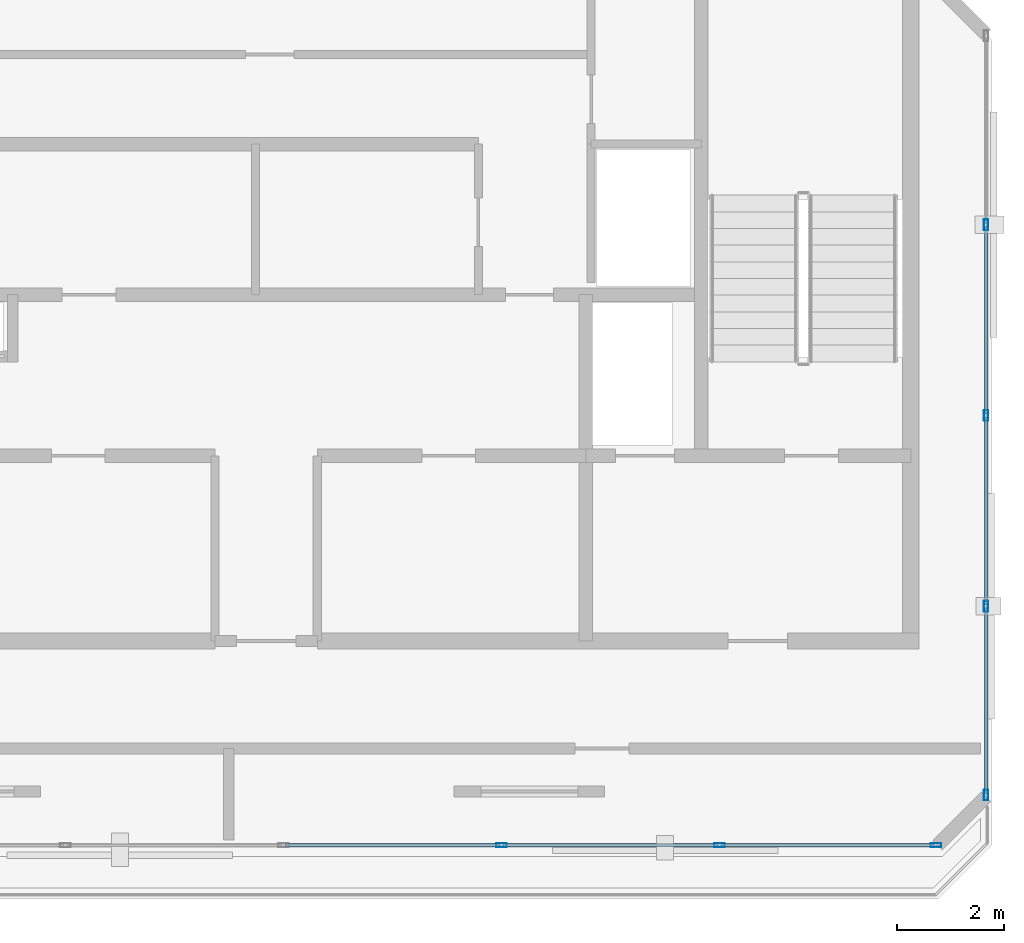
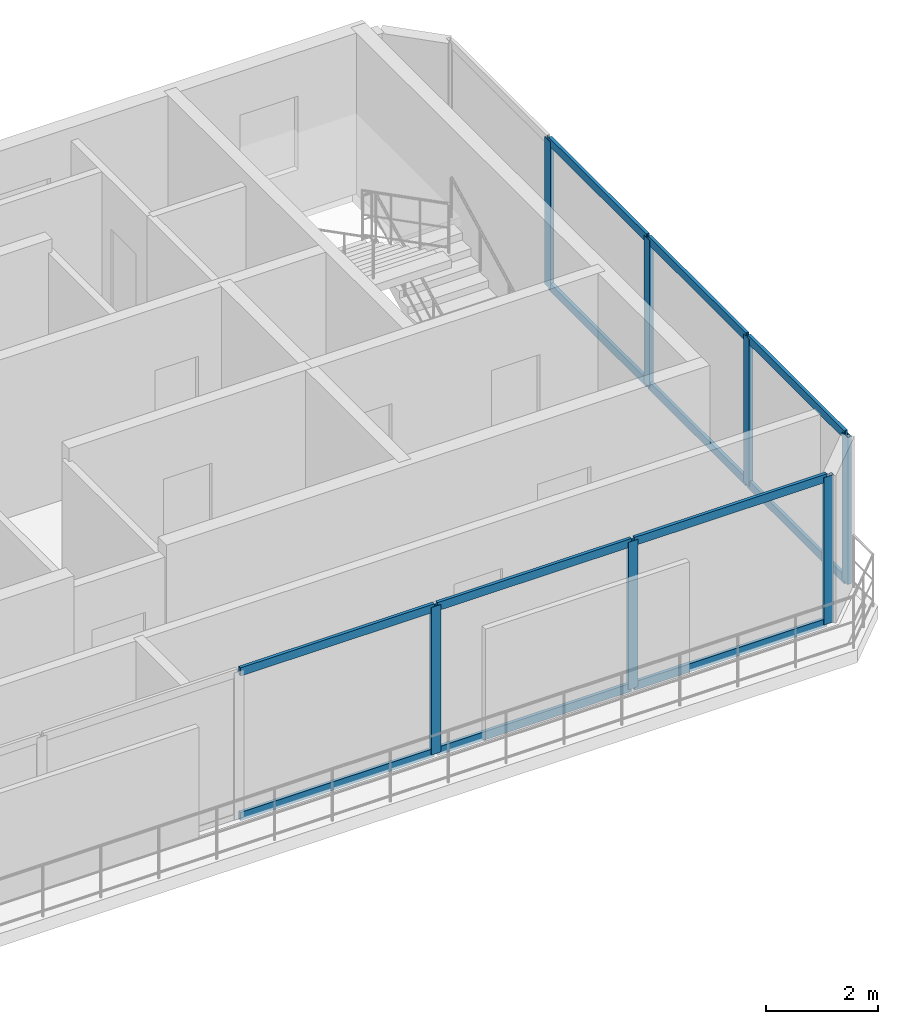
# One storey, part 3 of 7: 19 members, 2 elements without a shape of their own.
"""IFC4 building model written with IfcOpenShell, lengths in metres."""

from ifc_helpers import new_model, si_unit, direction, frame, origin, origin_2d, place, context, subcontext, project, spatial, hollow_rectangle, extrude, material, layer, layer_set, material_profile, profile_set, type_object, element, aggregate, save


model = new_model("IFC4")

# Units and contexts
model_context = context("Model", 3, precision=1e-05, world=origin(), true_north=direction((0.0, 1.0)))
body_context = subcontext(model_context, "Body", "Model", "MODEL_VIEW")
ifc_project = project(units=[si_unit("LENGTHUNIT", "METRE"), si_unit("AREAUNIT", "SQUARE_METRE"), si_unit("VOLUMEUNIT", "CUBIC_METRE"), si_unit("PLANEANGLEUNIT", "RADIAN"), si_unit("MASSUNIT", "GRAM", prefix="KILO")], contexts=[model_context])

# Site, building, storey
site_placement = place(None, origin())
site = spatial("IfcSite", under=ifc_project, at=site_placement, CompositionType="ELEMENT")
building_placement = place(site_placement, origin())
building = spatial("IfcBuilding", under=site, at=building_placement, Name="Catumbela Crestline Tower", CompositionType="ELEMENT")
storey_placement = place(building_placement, frame((0.0, 0.0, 308.0)))
storey = spatial("IfcBuildingStorey", under=building, at=storey_placement, Name="L79", CompositionType="ELEMENT", Elevation=308.0)

# Curtain wall, members
ifc_material = material(Name="Aluminium alloy AW-6060-T66", Category="aluminium")
ifc_layer = layer(ifc_material, 0.18, Name="Aluminium alloy AW-6060-T66")
ifc_layer_set = layer_set([ifc_layer], Name="Aluminium alloy AW-6060-T66")
curtain_wall_type = type_object("IfcCurtainWallType", Name="CWS-OBS", PredefinedType="USERDEFINED", material=ifc_layer_set)
curtain_wall_1_placement = place(storey_placement, origin())
curtain_wall_1 = element("IfcCurtainWall", 1, at=curtain_wall_1_placement, inside=storey, type_object=curtain_wall_type, Name="L79 Stick Curtain Wall CW-L79-E0S2", ObjectType="STICK", PredefinedType="USERDEFINED")
ifc_material_profile_1 = material_profile(ifc_material, hollow_rectangle(XDim=0.075, YDim=0.2, WallThickness=0.005, at=origin_2d()), Name="ALU 200x75x5")
ifc_profile_set_1 = profile_set([ifc_material_profile_1], Name="Aluminium alloy AW-6060-T66")
member_type_1 = type_object("IfcMemberType", Name="MUL-200X75", PredefinedType="MULLION", material=ifc_profile_set_1)
member_1_placement = place(storey_placement, frame((32.38, 27.0, 0.0), z_axis=(0.0, 0.0, 1.0), x_axis=(0.0, 1.0, 0.0)))
member_1 = element("IfcMember", 2, at=member_1_placement, type_object=member_type_1, Name="CWS-OBS mullion 4", PredefinedType="MULLION", context=body_context, shape_type="SweptSolid", body=[
    extrude(hollow_rectangle(XDim=0.075, YDim=0.2, WallThickness=0.005, at=origin_2d()), origin(), (0.0, 0.0, 1.0), 3.21),
])
member_2_placement = place(storey_placement, frame((36.44, 27.0, 0.0), z_axis=(0.0, 0.0, 1.0), x_axis=(0.0, 1.0, 0.0)))
member_2 = element("IfcMember", 3, at=member_2_placement, type_object=member_type_1, Name="CWS-OBS mullion 5", PredefinedType="MULLION", context=body_context, shape_type="SweptSolid", body=[
    extrude(hollow_rectangle(XDim=0.075, YDim=0.2, WallThickness=0.005, at=origin_2d()), origin(), (0.0, 0.0, 1.0), 3.21),
])
member_3_placement = place(storey_placement, frame((40.4675, 27.0, 0.0), z_axis=(0.0, 0.0, 1.0), x_axis=(0.0, 1.0, 0.0)))
member_3 = element("IfcMember", 4, at=member_3_placement, type_object=member_type_1, Name="CWS-OBS mullion 6", PredefinedType="MULLION", context=body_context, shape_type="SweptSolid", body=[
    extrude(hollow_rectangle(XDim=0.075, YDim=0.2, WallThickness=0.005, at=origin_2d()), origin(), (0.0, 0.0, 1.0), 3.21),
])

curtain_wall_2_placement = place(storey_placement, origin())
curtain_wall_2 = element("IfcCurtainWall", 5, at=curtain_wall_2_placement, inside=storey, type_object=curtain_wall_type, Name="L79 Stick Curtain Wall CW-L79-E2S1", ObjectType="STICK", PredefinedType="USERDEFINED")
member_4_placement = place(storey_placement, frame((41.4, 27.9325, 0.0), z_axis=(0.0, 0.0, 1.0), x_axis=(-1.0, 0.0, 0.0)))
member_4 = element("IfcMember", 6, at=member_4_placement, type_object=member_type_1, Name="CWS-OBS mullion 1", PredefinedType="MULLION", context=body_context, shape_type="SweptSolid", body=[
    extrude(hollow_rectangle(XDim=0.075, YDim=0.2, WallThickness=0.005, at=origin_2d()), origin(), (0.0, 0.0, 1.0), 3.21),
])
member_5_placement = place(storey_placement, frame((41.4, 31.45, 0.0), z_axis=(0.0, 0.0, 1.0), x_axis=(-1.0, 0.0, 0.0)))
member_5 = element("IfcMember", 7, at=member_5_placement, type_object=member_type_1, Name="CWS-OBS mullion 2", PredefinedType="MULLION", context=body_context, shape_type="SweptSolid", body=[
    extrude(hollow_rectangle(XDim=0.075, YDim=0.2, WallThickness=0.005, at=origin_2d()), origin(), (0.0, 0.0, 1.0), 3.21),
])
member_6_placement = place(storey_placement, frame((41.4, 35.0, 0.0), z_axis=(0.0, 0.0, 1.0), x_axis=(-1.0, 0.0, 0.0)))
member_6 = element("IfcMember", 8, at=member_6_placement, type_object=member_type_1, Name="CWS-OBS mullion 3", PredefinedType="MULLION", context=body_context, shape_type="SweptSolid", body=[
    extrude(hollow_rectangle(XDim=0.075, YDim=0.2, WallThickness=0.005, at=origin_2d()), origin(), (0.0, 0.0, 1.0), 3.21),
])
member_7_placement = place(storey_placement, frame((41.4, 38.55, 0.0), z_axis=(0.0, 0.0, 1.0), x_axis=(-1.0, 0.0, 0.0)))
member_7 = element("IfcMember", 9, at=member_7_placement, type_object=member_type_1, Name="CWS-OBS mullion 4", PredefinedType="MULLION", context=body_context, shape_type="SweptSolid", body=[
    extrude(hollow_rectangle(XDim=0.075, YDim=0.2, WallThickness=0.005, at=origin_2d()), origin(), (0.0, 0.0, 1.0), 3.21),
])

# Member
ifc_material_profile_2 = material_profile(ifc_material, hollow_rectangle(XDim=0.065, YDim=0.18, WallThickness=0.004, at=origin_2d()), Name="ALU 180x65x4")
ifc_profile_set_2 = profile_set([ifc_material_profile_2], Name="Aluminium alloy AW-6060-T66")
member_type_2 = type_object("IfcMemberType", Name="TRN-180X65", PredefinedType="USERDEFINED", material=ifc_profile_set_2)
member_8_placement = place(storey_placement, frame((28.3525, 27.0, 0.03), z_axis=(1.0, 0.0, 0.0), x_axis=(0.0, 1.0, 0.0)))
member_8 = element("IfcMember", 10, at=member_8_placement, type_object=member_type_2, Name="CWS-OBS transom 3.1", ObjectType="TRANSOM", PredefinedType="USERDEFINED", context=body_context, shape_type="SweptSolid", body=[
    extrude(hollow_rectangle(XDim=0.065, YDim=0.18, WallThickness=0.004, at=origin_2d()), origin(), (0.0, 0.0, 1.0), 3.995),
])

member_9_placement = place(storey_placement, frame((28.3525, 27.0, 3.18), z_axis=(1.0, 0.0, 0.0), x_axis=(0.0, 1.0, 0.0)))
member_9 = element("IfcMember", 11, at=member_9_placement, type_object=member_type_2, Name="CWS-OBS transom 3.2", ObjectType="TRANSOM", PredefinedType="USERDEFINED", context=body_context, shape_type="SweptSolid", body=[
    extrude(hollow_rectangle(XDim=0.065, YDim=0.18, WallThickness=0.004, at=origin_2d()), origin(), (0.0, 0.0, 1.0), 3.995),
])

member_10_placement = place(storey_placement, frame((32.4125, 27.0, 0.03), z_axis=(1.0, 0.0, 0.0), x_axis=(0.0, 1.0, 0.0)))
member_10 = element("IfcMember", 12, at=member_10_placement, type_object=member_type_2, Name="CWS-OBS transom 4.1", ObjectType="TRANSOM", PredefinedType="USERDEFINED", context=body_context, shape_type="SweptSolid", body=[
    extrude(hollow_rectangle(XDim=0.065, YDim=0.18, WallThickness=0.004, at=origin_2d()), origin(), (0.0, 0.0, 1.0), 3.995),
])

member_11_placement = place(storey_placement, frame((32.4125, 27.0, 3.18), z_axis=(1.0, 0.0, 0.0), x_axis=(0.0, 1.0, 0.0)))
member_11 = element("IfcMember", 13, at=member_11_placement, type_object=member_type_2, Name="CWS-OBS transom 4.2", ObjectType="TRANSOM", PredefinedType="USERDEFINED", context=body_context, shape_type="SweptSolid", body=[
    extrude(hollow_rectangle(XDim=0.065, YDim=0.18, WallThickness=0.004, at=origin_2d()), origin(), (0.0, 0.0, 1.0), 3.995),
])

member_12_placement = place(storey_placement, frame((36.4725, 27.0, 0.03), z_axis=(1.0, 0.0, 0.0), x_axis=(0.0, 1.0, 0.0)))
member_12 = element("IfcMember", 14, at=member_12_placement, type_object=member_type_2, Name="CWS-OBS transom 5.1", ObjectType="TRANSOM", PredefinedType="USERDEFINED", context=body_context, shape_type="SweptSolid", body=[
    extrude(hollow_rectangle(XDim=0.065, YDim=0.18, WallThickness=0.004, at=origin_2d()), origin(), (0.0, 0.0, 1.0), 3.9625),
])

member_13_placement = place(storey_placement, frame((36.4725, 27.0, 3.18), z_axis=(1.0, 0.0, 0.0), x_axis=(0.0, 1.0, 0.0)))
member_13 = element("IfcMember", 15, at=member_13_placement, type_object=member_type_2, Name="CWS-OBS transom 5.2", ObjectType="TRANSOM", PredefinedType="USERDEFINED", context=body_context, shape_type="SweptSolid", body=[
    extrude(hollow_rectangle(XDim=0.065, YDim=0.18, WallThickness=0.004, at=origin_2d()), origin(), (0.0, 0.0, 1.0), 3.9625),
])

aggregate(curtain_wall_1, [member_1, member_2, member_3, member_8, member_9, member_10, member_11, member_12, member_13])

member_14_placement = place(storey_placement, frame((41.4, 27.965, 0.03), z_axis=(0.0, 1.0, 0.0), x_axis=(-1.0, 0.0, 0.0)))
member_14 = element("IfcMember", 16, at=member_14_placement, type_object=member_type_2, Name="CWS-OBS transom 1.1", ObjectType="TRANSOM", PredefinedType="USERDEFINED", context=body_context, shape_type="SweptSolid", body=[
    extrude(hollow_rectangle(XDim=0.065, YDim=0.18, WallThickness=0.004, at=origin_2d()), origin(), (0.0, 0.0, 1.0), 3.4525),
])

member_15_placement = place(storey_placement, frame((41.4, 27.965, 3.18), z_axis=(0.0, 1.0, 0.0), x_axis=(-1.0, 0.0, 0.0)))
member_15 = element("IfcMember", 17, at=member_15_placement, type_object=member_type_2, Name="CWS-OBS transom 1.2", ObjectType="TRANSOM", PredefinedType="USERDEFINED", context=body_context, shape_type="SweptSolid", body=[
    extrude(hollow_rectangle(XDim=0.065, YDim=0.18, WallThickness=0.004, at=origin_2d()), origin(), (0.0, 0.0, 1.0), 3.4525),
])

member_16_placement = place(storey_placement, frame((41.4, 31.4825, 0.03), z_axis=(0.0, 1.0, 0.0), x_axis=(-1.0, 0.0, 0.0)))
member_16 = element("IfcMember", 18, at=member_16_placement, type_object=member_type_2, Name="CWS-OBS transom 2.1", ObjectType="TRANSOM", PredefinedType="USERDEFINED", context=body_context, shape_type="SweptSolid", body=[
    extrude(hollow_rectangle(XDim=0.065, YDim=0.18, WallThickness=0.004, at=origin_2d()), origin(), (0.0, 0.0, 1.0), 3.485),
])

member_17_placement = place(storey_placement, frame((41.4, 31.4825, 3.18), z_axis=(0.0, 1.0, 0.0), x_axis=(-1.0, 0.0, 0.0)))
member_17 = element("IfcMember", 19, at=member_17_placement, type_object=member_type_2, Name="CWS-OBS transom 2.2", ObjectType="TRANSOM", PredefinedType="USERDEFINED", context=body_context, shape_type="SweptSolid", body=[
    extrude(hollow_rectangle(XDim=0.065, YDim=0.18, WallThickness=0.004, at=origin_2d()), origin(), (0.0, 0.0, 1.0), 3.485),
])

member_18_placement = place(storey_placement, frame((41.4, 35.0325, 0.03), z_axis=(0.0, 1.0, 0.0), x_axis=(-1.0, 0.0, 0.0)))
member_18 = element("IfcMember", 20, at=member_18_placement, type_object=member_type_2, Name="CWS-OBS transom 3.1", ObjectType="TRANSOM", PredefinedType="USERDEFINED", context=body_context, shape_type="SweptSolid", body=[
    extrude(hollow_rectangle(XDim=0.065, YDim=0.18, WallThickness=0.004, at=origin_2d()), origin(), (0.0, 0.0, 1.0), 3.485),
])

member_19_placement = place(storey_placement, frame((41.4, 35.0325, 3.18), z_axis=(0.0, 1.0, 0.0), x_axis=(-1.0, 0.0, 0.0)))
member_19 = element("IfcMember", 21, at=member_19_placement, type_object=member_type_2, Name="CWS-OBS transom 3.2", ObjectType="TRANSOM", PredefinedType="USERDEFINED", context=body_context, shape_type="SweptSolid", body=[
    extrude(hollow_rectangle(XDim=0.065, YDim=0.18, WallThickness=0.004, at=origin_2d()), origin(), (0.0, 0.0, 1.0), 3.485),
])

aggregate(curtain_wall_2, [member_4, member_5, member_6, member_7, member_14, member_15, member_16, member_17, member_18, member_19])

save(model, "model.ifc")
